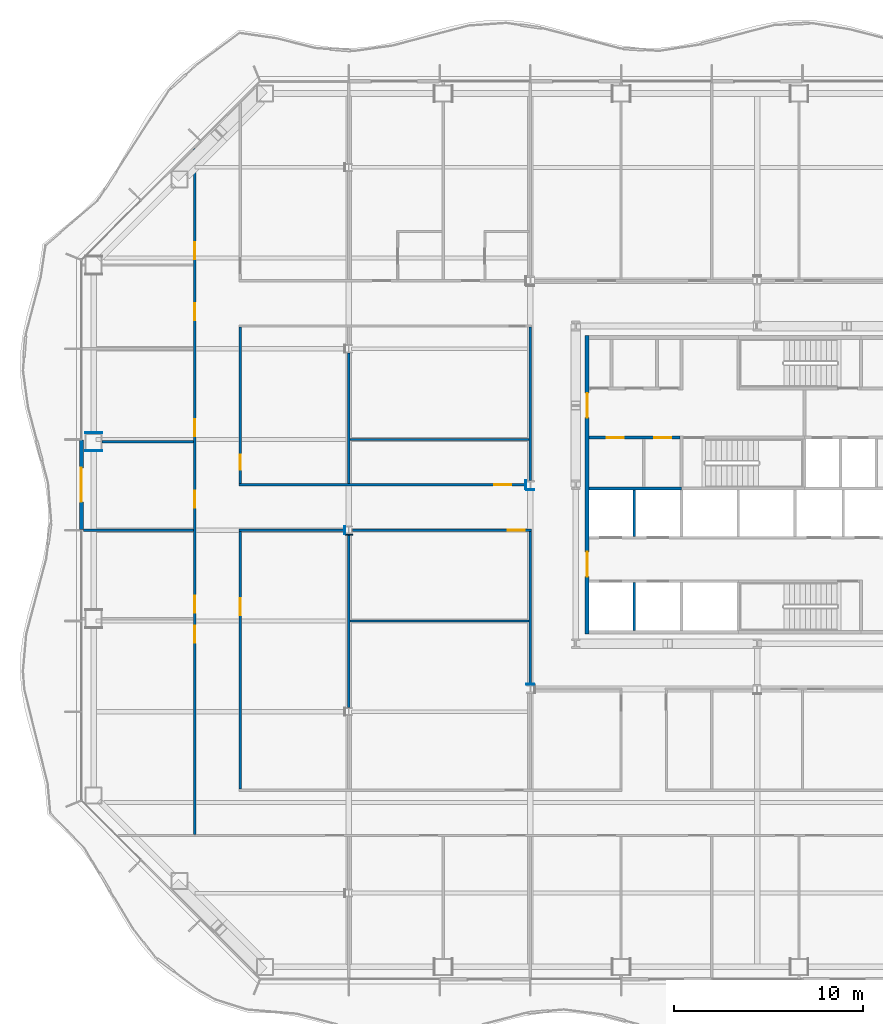
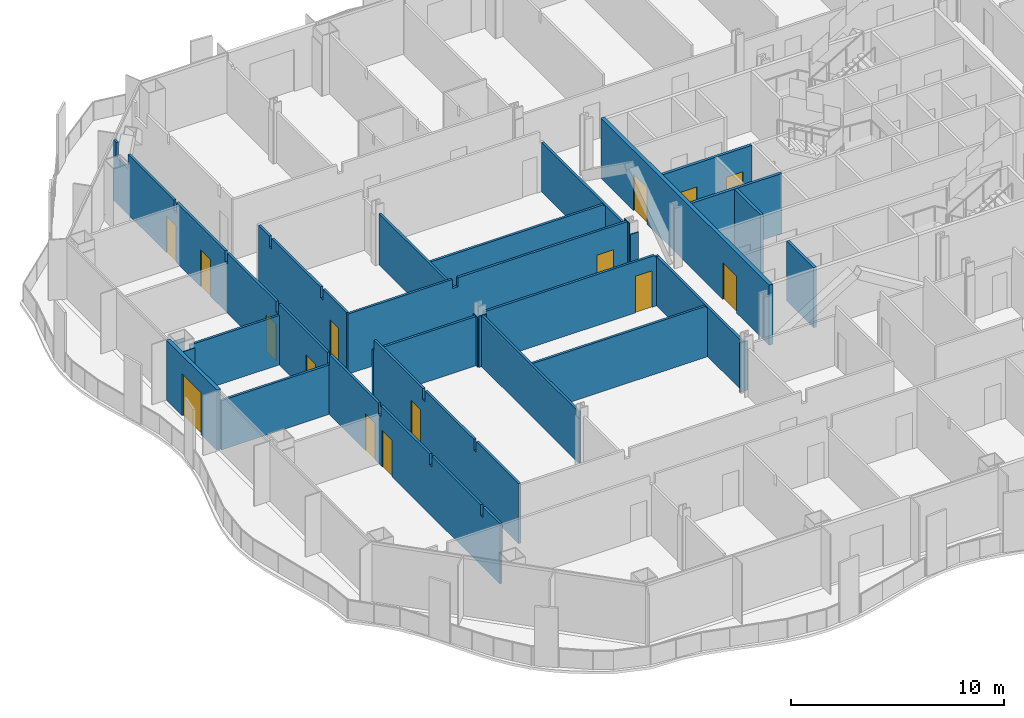
# One storey, part 8 of 18: 27 walls, 15 doors, 15 openings.
"""IFC4 building model written with IfcOpenShell, lengths in metres."""

from ifc_helpers import new_model, si_unit, direction, frame, frame_2d, origin, place, context, subcontext, project, spatial, polyline, rectangle, outline, extrude, material, layer, layer_set, type_object, element, fill, save


model = new_model("IFC4")

# Units and contexts
model_context = context("Model", 3, precision=1e-05, world=origin(), true_north=direction((0.0, 1.0)))
body_context = subcontext(model_context, "Body", "Model", "MODEL_VIEW")
ifc_project = project(units=[si_unit("LENGTHUNIT", "METRE"), si_unit("AREAUNIT", "SQUARE_METRE"), si_unit("VOLUMEUNIT", "CUBIC_METRE"), si_unit("PLANEANGLEUNIT", "RADIAN"), si_unit("MASSUNIT", "GRAM", prefix="KILO")], contexts=[model_context])

# Site, building, storey
site_placement = place(None, origin())
site = spatial("IfcSite", under=ifc_project, at=site_placement, CompositionType="ELEMENT")
building_placement = place(site_placement, origin())
building = spatial("IfcBuilding", under=site, at=building_placement, Name="Cairn Pilgrim Tower", CompositionType="ELEMENT")
storey_placement = place(building_placement, frame((0.0, 0.0, 65.39990234375)))
storey = spatial("IfcBuildingStorey", under=building, at=storey_placement, Name="L14", CompositionType="ELEMENT", Elevation=65.39990234375)

# Wall, opening, door
ifc_material_1 = material(Name="Bronze anodised aluminium insulated sandwich panel with mineral wool fill", Category="aluminium")
ifc_layer_1 = layer(ifc_material_1, 0.199951171875)
ifc_layer_set_1 = layer_set([ifc_layer_1], Name="BRONZE INFILL FRAME WALL 200")
wall_type_1 = type_object("IfcWallType", Name="BRONZE INFILL FRAME WALL 200", PredefinedType="NOTDEFINED", material=ifc_layer_set_1)
wall_1_placement = place(storey_placement, frame((-28.550048828125, 4.77001953125, 0.0), z_axis=(0.0, 0.0, 1.0), x_axis=(0.0, -1.0, 0.0)))
wall_1 = element("IfcWall", 1, at=wall_1_placement, inside=storey, type_object=wall_type_1, Name="Bronze infill frame wall IW-W3", PredefinedType="NOTDEFINED", context=body_context, shape_type="SweptSolid", body=[
    extrude(rectangle(XDim=4.739990234375, YDim=0.199951171875, at=frame_2d((2.3701171875, 0.0))), origin(), (0.0, 0.0, 1.0), 3.4501953125),
])
opening_1_placement = place(wall_1_placement, frame((1.469970703125, 0.0, 0.0)))
opening_1 = element("IfcOpeningElement", 2, at=opening_1_placement, cuts=wall_1, Name="Opening 1411B", PredefinedType="OPENING", context=body_context, shape_type="SweptSolid", body=[
    extrude(rectangle(XDim=1.800048828125, YDim=2.39990234375, at=frame_2d((0.89990234375, 1.199951171875))), frame((0.0, 0.10986328125, 0.0), z_axis=(0.0, -1.0, 0.0), x_axis=(1.0, 0.0, 0.0)), (0.0, 0.0, 1.0), 0.219970703125),
])
ifc_material_2 = material(Name="Bronze anodised aluminium frame with tinted low-E glass", Category="aluminium")
door_type_1 = type_object("IfcDoorType", Name="BALCONY SLIDING DOOR 1800x2400", OperationType="DOUBLE_DOOR_SLIDING", PredefinedType="DOOR", material=ifc_material_2)
door_1_placement = place(opening_1_placement, origin())
door_1 = element("IfcDoor", 3, at=door_1_placement, inside=storey, type_object=door_type_1, Name="Balcony sliding door 1411B", OperationType="SINGLE_SWING_LEFT", OverallHeight=2.39990234375, OverallWidth=1.800048828125, PredefinedType="DOOR", context=body_context, shape_type="SweptSolid", body=[
    extrude(rectangle(XDim=1.800048828125, YDim=2.39990234375, at=frame_2d((0.89990234375, 1.199951171875))), frame((0.0, 0.02490234375, 0.0), z_axis=(0.0, -1.0, 0.0), x_axis=(1.0, 0.0, 0.0)), (0.0, 0.0, 1.0), 0.050048828125),
])
fill(opening_1, door_1)

# Wall, openings, doors
ifc_material_3 = material(Name="Concrete C32/40", Category="concrete")
ifc_layer_2 = layer(ifc_material_3, 0.199951171875)
ifc_layer_set_2 = layer_set([ifc_layer_2], Name="CORE OUTER WALL 200 EI 120")
wall_type_2 = type_object("IfcWallType", Name="CORE OUTER WALL 200 EI 120", PredefinedType="SOLIDWALL", material=ifc_layer_set_2)
wall_2_placement = place(storey_placement, frame((-1.800048828125, -5.5, 0.0), z_axis=(0.0, 0.0, 1.0), x_axis=(0.0, 1.0, 0.0)))
wall_2 = element("IfcWall", 4, at=wall_2_placement, inside=storey, type_object=wall_type_2, Name="CW:L14:V12", PredefinedType="SOLIDWALL", context=body_context, shape_type="SweptSolid", body=[
    extrude(rectangle(XDim=15.800048828125, YDim=0.199951171875, at=frame_2d((7.89990234375, 0.0))), origin(), (0.0, 0.0, 1.0), 3.4501953125),
])
opening_2_placement = place(wall_2_placement, frame((3.050048828125, 0.0, 0.0)))
opening_2 = element("IfcOpeningElement", 5, at=opening_2_placement, cuts=wall_2, Name="Opening CD-W1", PredefinedType="OPENING", context=body_context, shape_type="SweptSolid", body=[
    extrude(rectangle(XDim=1.300048828125, YDim=2.10009765625, at=frame_2d((0.64990234375, 1.050048828125))), frame((0.0, 0.10986328125, 0.0), z_axis=(0.0, -1.0, 0.0), x_axis=(1.0, 0.0, 0.0)), (0.0, 0.0, 1.0), 0.219970703125),
])
opening_3_placement = place(wall_2_placement, frame((11.449951171875, 0.0, 0.0)))
opening_3 = element("IfcOpeningElement", 6, at=opening_3_placement, cuts=wall_2, Name="Opening CD-W2", PredefinedType="OPENING", context=body_context, shape_type="SweptSolid", body=[
    extrude(rectangle(XDim=1.300048828125, YDim=2.10009765625, at=frame_2d((0.64990234375, 1.050048828125))), frame((0.0, 0.10986328125, 0.0), z_axis=(0.0, -1.0, 0.0), x_axis=(1.0, 0.0, 0.0)), (0.0, 0.0, 1.0), 0.219970703125),
])
ifc_material_4 = material(Name="Painted steel", Category="steel")
door_type_2 = type_object("IfcDoorType", Name="CORE LOBBY DOOR 1300x2100", OperationType="DOUBLE_DOOR_SINGLE_SWING", PredefinedType="DOOR", material=ifc_material_4)
door_2_placement = place(opening_2_placement, origin())
door_2 = element("IfcDoor", 7, at=door_2_placement, inside=storey, type_object=door_type_2, Name="CD-W1", OperationType="DOUBLE_DOOR_SINGLE_SWING", OverallHeight=2.10009765625, OverallWidth=1.300048828125, PredefinedType="DOOR", context=body_context, shape_type="SweptSolid", body=[
    extrude(rectangle(XDim=1.300048828125, YDim=2.10009765625, at=frame_2d((0.64990234375, 1.050048828125))), frame((0.0, 0.02490234375, 0.0), z_axis=(0.0, -1.0, 0.0), x_axis=(1.0, 0.0, 0.0)), (0.0, 0.0, 1.0), 0.050048828125),
])
fill(opening_2, door_2)
door_3_placement = place(opening_3_placement, origin())
door_3 = element("IfcDoor", 8, at=door_3_placement, inside=storey, type_object=door_type_2, Name="CD-W2", OperationType="DOUBLE_DOOR_SINGLE_SWING", OverallHeight=2.10009765625, OverallWidth=1.300048828125, PredefinedType="DOOR", context=body_context, shape_type="SweptSolid", body=[
    extrude(rectangle(XDim=1.300048828125, YDim=2.10009765625, at=frame_2d((0.64990234375, 1.050048828125))), frame((0.0, 0.02490234375, 0.0), z_axis=(0.0, -1.0, 0.0), x_axis=(1.0, 0.0, 0.0)), (0.0, 0.0, 1.0), 0.050048828125),
])
fill(opening_3, door_3)

ifc_layer_3 = layer(ifc_material_3, 0.14990234375)
ifc_layer_set_3 = layer_set([ifc_layer_3], Name="CORE PARTITION 150 EI 60")
wall_type_3 = type_object("IfcWallType", Name="CORE PARTITION 150 EI 60", PredefinedType="PARTITIONING", material=ifc_layer_set_3)
wall_3_placement = place(storey_placement, frame((-1.699951171875, 4.89990234375, 0.0), z_axis=(0.0, 0.0, 1.0), x_axis=(1.0, 0.0, 0.0)))
wall_3 = element("IfcWall", 9, at=wall_3_placement, inside=storey, type_object=wall_type_3, Name="CW:L14:H07", PredefinedType="PARTITIONING", context=body_context, shape_type="SweptSolid", body=[
    extrude(rectangle(XDim=4.824951171875, YDim=0.14990234375, at=frame_2d((2.41259765625, 0.0))), origin(), (0.0, 0.0, 1.0), 3.4501953125),
])
opening_4_placement = place(wall_3_placement, frame((0.949951171875, 0.0, 0.0)))
opening_4 = element("IfcOpeningElement", 10, at=opening_4_placement, cuts=wall_3, Name="Opening RD-R3W1", PredefinedType="OPENING", context=body_context, shape_type="SweptSolid", body=[
    extrude(rectangle(XDim=0.89990234375, YDim=2.10009765625, at=frame_2d((0.449951171875, 1.050048828125))), frame((0.0, 0.0849609375, 0.0), z_axis=(0.0, -1.0, 0.0), x_axis=(1.0, 0.0, 0.0)), (0.0, 0.0, 1.0), 0.169921875),
])
opening_5_placement = place(wall_3_placement, frame((3.449951171875, 0.0, 0.0)))
opening_5 = element("IfcOpeningElement", 11, at=opening_5_placement, cuts=wall_3, Name="Opening RD-R3W2", PredefinedType="OPENING", context=body_context, shape_type="SweptSolid", body=[
    extrude(rectangle(XDim=0.89990234375, YDim=2.10009765625, at=frame_2d((0.449951171875, 1.050048828125))), frame((0.0, 0.0849609375, 0.0), z_axis=(0.0, -1.0, 0.0), x_axis=(1.0, 0.0, 0.0)), (0.0, 0.0, 1.0), 0.169921875),
])
door_type_3 = type_object("IfcDoorType", Name="SERVICE ROOM DOOR 900x2100", OperationType="SINGLE_SWING_LEFT", PredefinedType="DOOR", material=ifc_material_4)
door_4_placement = place(opening_4_placement, origin())
door_4 = element("IfcDoor", 12, at=door_4_placement, inside=storey, type_object=door_type_3, Name="RD-R3W1", OperationType="SINGLE_SWING_RIGHT", OverallHeight=2.10009765625, OverallWidth=0.89990234375, PredefinedType="DOOR", context=body_context, shape_type="SweptSolid", body=[
    extrude(rectangle(XDim=0.89990234375, YDim=2.10009765625, at=frame_2d((0.449951171875, 1.050048828125))), frame((0.0, 0.02490234375, 0.0), z_axis=(0.0, -1.0, 0.0), x_axis=(1.0, 0.0, 0.0)), (0.0, 0.0, 1.0), 0.050048828125),
])
fill(opening_4, door_4)
door_5_placement = place(opening_5_placement, origin())
door_5 = element("IfcDoor", 13, at=door_5_placement, inside=storey, type_object=door_type_3, Name="RD-R3W2", OperationType="SINGLE_SWING_LEFT", OverallHeight=2.10009765625, OverallWidth=0.89990234375, PredefinedType="DOOR", context=body_context, shape_type="SweptSolid", body=[
    extrude(rectangle(XDim=0.89990234375, YDim=2.10009765625, at=frame_2d((0.449951171875, 1.050048828125))), frame((0.0, 0.02490234375, 0.0), z_axis=(0.0, -1.0, 0.0), x_axis=(1.0, 0.0, 0.0)), (0.0, 0.0, 1.0), 0.050048828125),
])
fill(opening_5, door_5)

# Walls
ifc_layer_4 = layer(ifc_material_3, 0.14990234375)
ifc_layer_set_4 = layer_set([ifc_layer_4], Name="CORE SHAFT WALL 150 EI 120")
wall_type_4 = type_object("IfcWallType", Name="CORE SHAFT WALL 150 EI 120", PredefinedType="SOLIDWALL", material=ifc_layer_set_4)
wall_4_placement = place(storey_placement, frame((-1.699951171875, 2.199951171875, 0.0), z_axis=(0.0, 0.0, 1.0), x_axis=(1.0, 0.0, 0.0)))
element("IfcWall", 14, at=wall_4_placement, inside=storey, type_object=wall_type_4, Name="CW:L14:H05-1", PredefinedType="SOLIDWALL", context=body_context, shape_type="SweptSolid", body=[
    extrude(rectangle(XDim=4.89990234375, YDim=0.14990234375, at=frame_2d((2.449951171875, 0.0))), origin(), (0.0, 0.0, 1.0), 3.4501953125),
])
wall_5_placement = place(storey_placement, frame((0.699951171875, -5.300048828125, 0.0), z_axis=(0.0, 0.0, 1.0), x_axis=(0.0, 1.0, 0.0)))
element("IfcWall", 15, at=wall_5_placement, inside=storey, type_object=wall_type_4, Name="CW:L14:V14", PredefinedType="SOLIDWALL", context=body_context, shape_type="SweptSolid", body=[
    extrude(rectangle(XDim=2.525146484375, YDim=0.14990234375, at=frame_2d((1.2626953125, 0.0))), origin(), (0.0, 0.0, 1.0), 3.4501953125),
])
wall_6_placement = place(storey_placement, frame((0.699951171875, -0.324951171875, 0.0), z_axis=(0.0, 0.0, 1.0), x_axis=(0.0, 1.0, 0.0)))
element("IfcWall", 16, at=wall_6_placement, inside=storey, type_object=wall_type_4, Name="CW:L14:V15", PredefinedType="SOLIDWALL", context=body_context, shape_type="SweptSolid", body=[
    extrude(rectangle(XDim=2.449951171875, YDim=0.14990234375, at=frame_2d((1.22509765625, 0.0))), origin(), (0.0, 0.0, 1.0), 3.4501953125),
])

# Wall, openings, doors
ifc_material_5 = material(Name="Gypsum partition")
ifc_layer_5 = layer(ifc_material_5, 0.125)
ifc_layer_set_5 = layer_set([ifc_layer_5], Name="PARTITION 125 DRYWALL EI 60")
wall_type_5 = type_object("IfcWallType", Name="PARTITION 125 DRYWALL EI 60", PredefinedType="PARTITIONING", material=ifc_layer_set_5)
wall_7_placement = place(storey_placement, frame((-22.550048828125, -16.08740234375, 0.0), z_axis=(0.0, 0.0, 1.0), x_axis=(0.0, 1.0, 0.0)))
wall_7 = element("IfcWall", 17, at=wall_7_placement, inside=storey, type_object=wall_type_5, Name="PARTITION W014", PredefinedType="PARTITIONING", context=body_context, shape_type="SweptSolid", body=[
    extrude(outline(polyline([(0.0, 0.0), (36.276123046875, 0.0), (36.276123046875, 3.4501953125), (36.022216796875, 3.4501953125), (36.020263671875, 2.630126953125), (34.9072265625, 2.630126953125), (34.9052734375, 3.4501953125), (30.597412109375, 3.4501953125), (30.595458984375, 2.830078125), (30.37744140625, 2.830078125), (30.37548828125, 3.4501953125), (25.797607421875, 3.4501953125), (25.79541015625, 2.830078125), (25.577392578125, 2.830078125), (25.575439453125, 3.4501953125), (20.99755859375, 3.4501953125), (20.99560546875, 2.830078125), (20.777587890625, 2.830078125), (20.775390625, 3.4501953125), (16.197509765625, 3.4501953125), (16.195556640625, 2.830078125), (15.9775390625, 2.830078125), (15.9755859375, 3.4501953125), (11.3974609375, 3.4501953125), (11.3955078125, 2.830078125), (11.177490234375, 2.830078125), (11.175537109375, 3.4501953125), (6.597412109375, 3.4501953125), (6.595458984375, 2.830078125), (6.37744140625, 2.830078125), (6.37548828125, 3.4501953125), (1.797607421875, 3.4501953125), (1.79541015625, 2.830078125), (1.577392578125, 2.830078125), (1.575439453125, 3.4501953125), (0.0, 3.4501953125), (0.0, 0.0)])), frame((0.0, 0.0625, 0.0), z_axis=(0.0, -1.0, 0.0), x_axis=(1.0, 0.0, 0.0)), (0.0, 0.0, 1.0), 0.125),
])
opening_6_placement = place(wall_7_placement, frame((10.137451171875, 0.0, 0.0)))
opening_6 = element("IfcOpeningElement", 18, at=opening_6_placement, cuts=wall_7, Name="Opening 1409", PredefinedType="OPENING", context=body_context, shape_type="SweptSolid", body=[
    extrude(rectangle(XDim=0.89990234375, YDim=2.10009765625, at=frame_2d((0.449951171875, 1.050048828125))), frame((0.0, 0.072509765625, 0.0), z_axis=(0.0, -1.0, 0.0), x_axis=(1.0, 0.0, 0.0)), (0.0, 0.0, 1.0), 0.14501953125),
])
opening_7_placement = place(wall_7_placement, frame((11.71142578125, 0.0, 0.0)))
opening_7 = element("IfcOpeningElement", 19, at=opening_7_placement, cuts=wall_7, Name="Opening 1410", PredefinedType="OPENING", context=body_context, shape_type="SweptSolid", body=[
    extrude(rectangle(XDim=0.89990234375, YDim=2.10009765625, at=frame_2d((0.449951171875, 1.050048828125))), frame((0.0, 0.072509765625, 0.0), z_axis=(0.0, -1.0, 0.0), x_axis=(1.0, 0.0, 0.0)), (0.0, 0.0, 1.0), 0.14501953125),
])
opening_8_placement = place(wall_7_placement, frame((17.28759765625, 0.0, 0.0)))
opening_8 = element("IfcOpeningElement", 20, at=opening_8_placement, cuts=wall_7, Name="Opening 1411", PredefinedType="OPENING", context=body_context, shape_type="SweptSolid", body=[
    extrude(rectangle(XDim=0.89990234375, YDim=2.10009765625, at=frame_2d((0.449951171875, 1.050048828125))), frame((0.0, 0.072509765625, 0.0), z_axis=(0.0, -1.0, 0.0), x_axis=(1.0, 0.0, 0.0)), (0.0, 0.0, 1.0), 0.14501953125),
])
opening_9_placement = place(wall_7_placement, frame((21.0634765625, 0.0, 0.0)))
opening_9 = element("IfcOpeningElement", 21, at=opening_9_placement, cuts=wall_7, Name="Opening 1412", PredefinedType="OPENING", context=body_context, shape_type="SweptSolid", body=[
    extrude(rectangle(XDim=0.89990234375, YDim=2.10009765625, at=frame_2d((0.449951171875, 1.050048828125))), frame((0.0, 0.072509765625, 0.0), z_axis=(0.0, -1.0, 0.0), x_axis=(1.0, 0.0, 0.0)), (0.0, 0.0, 1.0), 0.14501953125),
])
opening_10_placement = place(wall_7_placement, frame((27.1875, 0.0, 0.0)))
opening_10 = element("IfcOpeningElement", 22, at=opening_10_placement, cuts=wall_7, Name="Opening 1413", PredefinedType="OPENING", context=body_context, shape_type="SweptSolid", body=[
    extrude(rectangle(XDim=0.89990234375, YDim=2.10009765625, at=frame_2d((0.449951171875, 1.050048828125))), frame((0.0, 0.072509765625, 0.0), z_axis=(0.0, -1.0, 0.0), x_axis=(1.0, 0.0, 0.0)), (0.0, 0.0, 1.0), 0.14501953125),
])
opening_11_placement = place(wall_7_placement, frame((30.41455078125, 0.0, 0.0)))
opening_11 = element("IfcOpeningElement", 23, at=opening_11_placement, cuts=wall_7, Name="Opening 1414", PredefinedType="OPENING", context=body_context, shape_type="SweptSolid", body=[
    extrude(rectangle(XDim=0.89990234375, YDim=2.10009765625, at=frame_2d((0.449951171875, 1.050048828125))), frame((0.0, 0.072509765625, 0.0), z_axis=(0.0, -1.0, 0.0), x_axis=(1.0, 0.0, 0.0)), (0.0, 0.0, 1.0), 0.14501953125),
])
ifc_material_6 = material(Name="Steel-faced fire door leaf", Category="steel")
door_type_4 = type_object("IfcDoorType", Name="FIRE DOOR 900x2100 FD30S", OperationType="NOTDEFINED", PredefinedType="DOOR", material=ifc_material_6)
door_6_placement = place(opening_6_placement, origin())
door_6 = element("IfcDoor", 24, at=door_6_placement, inside=storey, type_object=door_type_4, Name="DOOR 1409", OperationType="SINGLE_SWING_RIGHT", OverallHeight=2.10009765625, OverallWidth=0.89990234375, PredefinedType="DOOR", context=body_context, shape_type="SweptSolid", body=[
    extrude(rectangle(XDim=0.89990234375, YDim=2.10009765625, at=frame_2d((0.449951171875, 1.050048828125))), frame((0.0, 0.02490234375, 0.0), z_axis=(0.0, -1.0, 0.0), x_axis=(1.0, 0.0, 0.0)), (0.0, 0.0, 1.0), 0.050048828125),
])
fill(opening_6, door_6)
door_7_placement = place(opening_7_placement, origin())
door_7 = element("IfcDoor", 25, at=door_7_placement, inside=storey, type_object=door_type_4, Name="DOOR 1410", OperationType="SINGLE_SWING_LEFT", OverallHeight=2.10009765625, OverallWidth=0.89990234375, PredefinedType="DOOR", context=body_context, shape_type="SweptSolid", body=[
    extrude(rectangle(XDim=0.89990234375, YDim=2.10009765625, at=frame_2d((0.449951171875, 1.050048828125))), frame((0.0, 0.02490234375, 0.0), z_axis=(0.0, -1.0, 0.0), x_axis=(1.0, 0.0, 0.0)), (0.0, 0.0, 1.0), 0.050048828125),
])
fill(opening_7, door_7)
door_8_placement = place(opening_8_placement, origin())
door_8 = element("IfcDoor", 26, at=door_8_placement, inside=storey, type_object=door_type_4, Name="DOOR 1411", OperationType="SINGLE_SWING_RIGHT", OverallHeight=2.10009765625, OverallWidth=0.89990234375, PredefinedType="DOOR", context=body_context, shape_type="SweptSolid", body=[
    extrude(rectangle(XDim=0.89990234375, YDim=2.10009765625, at=frame_2d((0.449951171875, 1.050048828125))), frame((0.0, 0.02490234375, 0.0), z_axis=(0.0, -1.0, 0.0), x_axis=(1.0, 0.0, 0.0)), (0.0, 0.0, 1.0), 0.050048828125),
])
fill(opening_8, door_8)
door_9_placement = place(opening_9_placement, origin())
door_9 = element("IfcDoor", 27, at=door_9_placement, inside=storey, type_object=door_type_4, Name="DOOR 1412", OperationType="SINGLE_SWING_LEFT", OverallHeight=2.10009765625, OverallWidth=0.89990234375, PredefinedType="DOOR", context=body_context, shape_type="SweptSolid", body=[
    extrude(rectangle(XDim=0.89990234375, YDim=2.10009765625, at=frame_2d((0.449951171875, 1.050048828125))), frame((0.0, 0.02490234375, 0.0), z_axis=(0.0, -1.0, 0.0), x_axis=(1.0, 0.0, 0.0)), (0.0, 0.0, 1.0), 0.050048828125),
])
fill(opening_9, door_9)
door_10_placement = place(opening_10_placement, origin())
door_10 = element("IfcDoor", 28, at=door_10_placement, inside=storey, type_object=door_type_4, Name="DOOR 1413", OperationType="SINGLE_SWING_RIGHT", OverallHeight=2.10009765625, OverallWidth=0.89990234375, PredefinedType="DOOR", context=body_context, shape_type="SweptSolid", body=[
    extrude(rectangle(XDim=0.89990234375, YDim=2.10009765625, at=frame_2d((0.449951171875, 1.050048828125))), frame((0.0, 0.02490234375, 0.0), z_axis=(0.0, -1.0, 0.0), x_axis=(1.0, 0.0, 0.0)), (0.0, 0.0, 1.0), 0.050048828125),
])
fill(opening_10, door_10)
door_11_placement = place(opening_11_placement, origin())
door_11 = element("IfcDoor", 29, at=door_11_placement, inside=storey, type_object=door_type_4, Name="DOOR 1414", OperationType="SINGLE_SWING_LEFT", OverallHeight=2.10009765625, OverallWidth=0.89990234375, PredefinedType="DOOR", context=body_context, shape_type="SweptSolid", body=[
    extrude(rectangle(XDim=0.89990234375, YDim=2.10009765625, at=frame_2d((0.449951171875, 1.050048828125))), frame((0.0, 0.02490234375, 0.0), z_axis=(0.0, -1.0, 0.0), x_axis=(1.0, 0.0, 0.0)), (0.0, 0.0, 1.0), 0.050048828125),
])
fill(opening_11, door_11)

# Wall, opening, door
wall_8_placement = place(storey_placement, frame((-20.14990234375, -13.6875, 0.0), z_axis=(0.0, 0.0, 1.0), x_axis=(0.0, 1.0, 0.0)))
wall_8 = element("IfcWall", 30, at=wall_8_placement, inside=storey, type_object=wall_type_5, Name="PARTITION W018", PredefinedType="PARTITIONING", context=body_context, shape_type="SweptSolid", body=[
    extrude(outline(polyline([(0.0, 0.0), (13.625, 0.0), (13.625, 2.830078125), (13.577392578125, 2.830078125), (13.575439453125, 3.4501953125), (8.99755859375, 3.4501953125), (8.99560546875, 2.830078125), (8.777587890625, 2.830078125), (8.775390625, 3.4501953125), (4.197509765625, 3.4501953125), (4.195556640625, 2.830078125), (3.9775390625, 2.830078125), (3.9755859375, 3.4501953125), (0.0, 3.4501953125), (0.0, 0.0)])), frame((0.0, 0.0625, 0.0), z_axis=(0.0, -1.0, 0.0), x_axis=(1.0, 0.0, 0.0)), (0.0, 0.0, 1.0), 0.125),
])
opening_12_placement = place(wall_8_placement, frame((9.1875, 0.0, 0.0)))
opening_12 = element("IfcOpeningElement", 31, at=opening_12_placement, cuts=wall_8, Name="Opening 1433", PredefinedType="OPENING", context=body_context, shape_type="SweptSolid", body=[
    extrude(rectangle(XDim=0.89990234375, YDim=2.10009765625, at=frame_2d((0.449951171875, 1.050048828125))), frame((0.0, 0.072509765625, 0.0), z_axis=(0.0, -1.0, 0.0), x_axis=(1.0, 0.0, 0.0)), (0.0, 0.0, 1.0), 0.14501953125),
])
door_12_placement = place(opening_12_placement, frame((0.89990234375, 0.0, 0.0), z_axis=(0.0, 0.0, 1.0), x_axis=(-1.0, 0.0, 0.0)))
door_12 = element("IfcDoor", 32, at=door_12_placement, inside=storey, type_object=door_type_4, Name="DOOR 1433", OperationType="SINGLE_SWING_RIGHT", OverallHeight=2.10009765625, OverallWidth=0.89990234375, PredefinedType="DOOR", context=body_context, shape_type="SweptSolid", body=[
    extrude(rectangle(XDim=0.89990234375, YDim=2.10009765625, at=frame_2d((0.449951171875, 1.050048828125))), frame((0.0, 0.02490234375, 0.0), z_axis=(0.0, -1.0, 0.0), x_axis=(1.0, 0.0, 0.0)), (0.0, 0.0, 1.0), 0.050048828125),
])
fill(opening_12, door_12)

# Walls
wall_9_placement = place(storey_placement, frame((-14.39990234375, -9.387451171875, 0.0), z_axis=(0.0, 0.0, 1.0), x_axis=(0.0, 1.0, 0.0)))
element("IfcWall", 33, at=wall_9_placement, inside=storey, type_object=wall_type_5, Name="PARTITION W029", PredefinedType="PARTITIONING", context=body_context, shape_type="SweptSolid", body=[
    extrude(rectangle(XDim=9.175048828125, YDim=0.125, at=frame_2d((4.58740234375, 0.0))), origin(), (0.0, 0.0, 1.0), 2.93017578125),
])
wall_10_placement = place(storey_placement, frame((-4.800048828125, -8.1630859375, 0.0), z_axis=(0.0, 0.0, 1.0), x_axis=(0.0, 1.0, 0.0)))
element("IfcWall", 34, at=wall_10_placement, inside=storey, type_object=wall_type_5, Name="PARTITION W033", PredefinedType="PARTITIONING", context=body_context, shape_type="SweptSolid", body=[
    extrude(rectangle(XDim=8.1005859375, YDim=0.125, at=frame_2d((4.05029296875, 0.0))), origin(), (0.0, 0.0, 1.0), 2.830078125),
])
wall_11_placement = place(storey_placement, frame((-14.33740234375, -4.800048828125, 0.0), z_axis=(0.0, 0.0, 1.0), x_axis=(1.0, 0.0, 0.0)))
element("IfcWall", 35, at=wall_11_placement, inside=storey, type_object=wall_type_5, Name="PARTITION W036", PredefinedType="PARTITIONING", context=body_context, shape_type="SweptSolid", body=[
    extrude(outline(polyline([(0.0, 0.0), (9.474853515625, 0.0), (9.47509765625, 2.830078125), (9.387451171875, 2.830078125), (9.385498046875, 2.93017578125), (0.0, 2.93017578125), (0.0, 0.0)])), frame((0.0, 0.0625, 0.0), z_axis=(0.0, -1.0, 0.0), x_axis=(1.0, 0.0, 0.0)), (0.0, 0.0, 1.0), 0.125),
])
wall_12_placement = place(storey_placement, frame((-28.449951171875, 0.0, 0.0), z_axis=(0.0, 0.0, 1.0), x_axis=(1.0, 0.0, 0.0)))
element("IfcWall", 36, at=wall_12_placement, inside=storey, type_object=wall_type_5, Name="PARTITION W043", PredefinedType="PARTITIONING", context=body_context, shape_type="SweptSolid", body=[
    extrude(rectangle(XDim=5.83740234375, YDim=0.125, at=frame_2d((2.918701171875, 0.0))), origin(), (0.0, 0.0, 1.0), 2.830078125),
])
wall_13_placement = place(storey_placement, frame((-20.21240234375, 0.0, 0.0), z_axis=(0.0, 0.0, 1.0), x_axis=(1.0, 0.0, 0.0)))
element("IfcWall", 37, at=wall_13_placement, inside=storey, type_object=wall_type_5, Name="PARTITION W044", PredefinedType="PARTITIONING", context=body_context, shape_type="SweptSolid", body=[
    extrude(rectangle(XDim=5.60791015625, YDim=0.125, at=frame_2d((2.803955078125, 0.0))), origin(), (0.0, 0.0, 1.0), 2.830078125),
])

# Wall, opening, door
wall_14_placement = place(storey_placement, frame((-14.195556640625, 0.0, 0.0), z_axis=(0.0, 0.0, 1.0), x_axis=(1.0, 0.0, 0.0)))
wall_14 = element("IfcWall", 38, at=wall_14_placement, inside=storey, type_object=wall_type_5, Name="PARTITION W045", PredefinedType="PARTITIONING", context=body_context, shape_type="SweptSolid", body=[
    extrude(outline(polyline([(0.0, 0.0), (9.4580078125, 0.0), (9.4580078125, 2.830078125), (9.24560546875, 2.830078125), (9.243408203125, 2.93017578125), (0.0, 2.93017578125), (0.0, 0.0)])), frame((0.0, 0.0625, 0.0), z_axis=(0.0, -1.0, 0.0), x_axis=(1.0, 0.0, 0.0)), (0.0, 0.0, 1.0), 0.125),
])
opening_13_placement = place(wall_14_placement, frame((8.195556640625, 0.0, 0.0)))
opening_13 = element("IfcOpeningElement", 39, at=opening_13_placement, cuts=wall_14, Name="Opening 1430", PredefinedType="OPENING", context=body_context, shape_type="SweptSolid", body=[
    extrude(rectangle(XDim=0.89990234375, YDim=2.10009765625, at=frame_2d((0.449951171875, 1.050048828125))), frame((0.0, 0.072509765625, 0.0), z_axis=(0.0, -1.0, 0.0), x_axis=(1.0, 0.0, 0.0)), (0.0, 0.0, 1.0), 0.14501953125),
])
door_13_placement = place(opening_13_placement, frame((0.89990234375, 0.0, 0.0), z_axis=(0.0, 0.0, 1.0), x_axis=(-1.0, 0.0, 0.0)))
door_13 = element("IfcDoor", 40, at=door_13_placement, inside=storey, type_object=door_type_4, Name="DOOR 1430", OperationType="SINGLE_SWING_LEFT", OverallHeight=2.10009765625, OverallWidth=0.89990234375, PredefinedType="DOOR", context=body_context, shape_type="SweptSolid", body=[
    extrude(rectangle(XDim=0.89990234375, YDim=2.10009765625, at=frame_2d((0.449951171875, 1.050048828125))), frame((0.0, 0.02490234375, 0.0), z_axis=(0.0, -1.0, 0.0), x_axis=(1.0, 0.0, 0.0)), (0.0, 0.0, 1.0), 0.050048828125),
])
fill(opening_13, door_13)

wall_15_placement = place(storey_placement, frame((-20.21240234375, 2.39990234375, 0.0), z_axis=(0.0, 0.0, 1.0), x_axis=(1.0, 0.0, 0.0)))
wall_15 = element("IfcWall", 41, at=wall_15_placement, inside=storey, type_object=wall_type_5, Name="PARTITION W049", PredefinedType="PARTITIONING", context=body_context, shape_type="SweptSolid", body=[
    extrude(outline(polyline([(0.0, 0.0), (15.200439453125, 0.0), (15.200439453125, 3.4501953125), (5.96240234375, 3.4501953125), (5.96044921875, 2.93017578125), (5.66259765625, 2.93017578125), (5.660400390625, 3.4501953125), (0.0, 3.4501953125), (0.0, 0.0)])), frame((0.0, 0.0625, 0.0), z_axis=(0.0, -1.0, 0.0), x_axis=(1.0, 0.0, 0.0)), (0.0, 0.0, 1.0), 0.125),
])
opening_14_placement = place(wall_15_placement, frame((13.512451171875, 0.0, 0.0)))
opening_14 = element("IfcOpeningElement", 42, at=opening_14_placement, cuts=wall_15, Name="Opening 1431", PredefinedType="OPENING", context=body_context, shape_type="SweptSolid", body=[
    extrude(rectangle(XDim=0.89990234375, YDim=2.10009765625, at=frame_2d((0.449951171875, 1.050048828125))), frame((0.0, 0.072509765625, 0.0), z_axis=(0.0, -1.0, 0.0), x_axis=(1.0, 0.0, 0.0)), (0.0, 0.0, 1.0), 0.14501953125),
])
door_14_placement = place(opening_14_placement, origin())
door_14 = element("IfcDoor", 43, at=door_14_placement, inside=storey, type_object=door_type_4, Name="DOOR 1431", OperationType="SINGLE_SWING_RIGHT", OverallHeight=2.10009765625, OverallWidth=0.89990234375, PredefinedType="DOOR", context=body_context, shape_type="SweptSolid", body=[
    extrude(rectangle(XDim=0.89990234375, YDim=2.10009765625, at=frame_2d((0.449951171875, 1.050048828125))), frame((0.0, 0.02490234375, 0.0), z_axis=(0.0, -1.0, 0.0), x_axis=(1.0, 0.0, 0.0)), (0.0, 0.0, 1.0), 0.050048828125),
])
fill(opening_14, door_14)

wall_16_placement = place(storey_placement, frame((-20.14990234375, 2.46240234375, 0.0), z_axis=(0.0, 0.0, 1.0), x_axis=(0.0, 1.0, 0.0)))
wall_16 = element("IfcWall", 44, at=wall_16_placement, inside=storey, type_object=wall_type_5, Name="PARTITION W050", PredefinedType="PARTITIONING", context=body_context, shape_type="SweptSolid", body=[
    extrude(outline(polyline([(0.0, 0.0), (8.275146484375, 0.0), (8.27490234375, 3.4501953125), (7.24755859375, 3.4501953125), (7.24560546875, 2.830078125), (7.027587890625, 2.830078125), (7.025390625, 3.4501953125), (2.447509765625, 3.4501953125), (2.445556640625, 2.830078125), (2.2275390625, 2.830078125), (2.2255859375, 3.4501953125), (0.0, 3.4501953125), (0.0, 0.0)])), frame((0.0, 0.0625, 0.0), z_axis=(0.0, -1.0, 0.0), x_axis=(1.0, 0.0, 0.0)), (0.0, 0.0, 1.0), 0.125),
])
opening_15_placement = place(wall_16_placement, frame((0.737548828125, 0.0, 0.0)))
opening_15 = element("IfcOpeningElement", 45, at=opening_15_placement, cuts=wall_16, Name="Opening 1434", PredefinedType="OPENING", context=body_context, shape_type="SweptSolid", body=[
    extrude(rectangle(XDim=0.800048828125, YDim=2.10009765625, at=frame_2d((0.39990234375, 1.050048828125))), frame((0.0, 0.072509765625, 0.0), z_axis=(0.0, -1.0, 0.0), x_axis=(1.0, 0.0, 0.0)), (0.0, 0.0, 1.0), 0.14501953125),
])
door_type_5 = type_object("IfcDoorType", Name="FIRE DOOR 800x2100 FD30S", OperationType="NOTDEFINED", PredefinedType="DOOR", material=ifc_material_6)
door_15_placement = place(opening_15_placement, frame((0.800048828125, 0.0, 0.0), z_axis=(0.0, 0.0, 1.0), x_axis=(-1.0, 0.0, 0.0)))
door_15 = element("IfcDoor", 46, at=door_15_placement, inside=storey, type_object=door_type_5, Name="DOOR 1434", OperationType="SINGLE_SWING_LEFT", OverallHeight=2.10009765625, OverallWidth=0.800048828125, PredefinedType="DOOR", context=body_context, shape_type="SweptSolid", body=[
    extrude(rectangle(XDim=0.800048828125, YDim=2.10009765625, at=frame_2d((0.39990234375, 1.050048828125))), frame((0.0, 0.02490234375, 0.0), z_axis=(0.0, -1.0, 0.0), x_axis=(1.0, 0.0, 0.0)), (0.0, 0.0, 1.0), 0.050048828125),
])
fill(opening_15, door_15)

# Walls
wall_17_placement = place(storey_placement, frame((-14.39990234375, 2.46240234375, 0.0), z_axis=(0.0, 0.0, 1.0), x_axis=(0.0, 1.0, 0.0)))
element("IfcWall", 47, at=wall_17_placement, inside=storey, type_object=wall_type_5, Name="PARTITION W051", PredefinedType="PARTITIONING", context=body_context, shape_type="SweptSolid", body=[
    extrude(rectangle(XDim=6.925048828125, YDim=0.125, at=frame_2d((3.46240234375, 0.0))), origin(), (0.0, 0.0, 1.0), 2.93017578125),
])
wall_18_placement = place(storey_placement, frame((-4.800048828125, 2.636962890625, 0.0), z_axis=(0.0, 0.0, 1.0), x_axis=(0.0, 1.0, 0.0)))
element("IfcWall", 48, at=wall_18_placement, inside=storey, type_object=wall_type_5, Name="PARTITION W052", PredefinedType="PARTITIONING", context=body_context, shape_type="SweptSolid", body=[
    extrude(rectangle(XDim=8.1005859375, YDim=0.125, at=frame_2d((4.05029296875, 0.0))), origin(), (0.0, 0.0, 1.0), 2.830078125),
])
wall_19_placement = place(storey_placement, frame((-27.449951171875, 4.676025390625, 0.0), z_axis=(0.0, 0.0, 1.0), x_axis=(1.0, 0.0, 0.0)))
element("IfcWall", 49, at=wall_19_placement, inside=storey, type_object=wall_type_5, Name="PARTITION W054", PredefinedType="PARTITIONING", context=body_context, shape_type="SweptSolid", body=[
    extrude(rectangle(XDim=4.83740234375, YDim=0.125, at=frame_2d((2.418701171875, 0.0))), origin(), (0.0, 0.0, 1.0), 2.830078125),
])
wall_20_placement = place(storey_placement, frame((-14.33740234375, 4.800048828125, 0.0), z_axis=(0.0, 0.0, 1.0), x_axis=(1.0, 0.0, 0.0)))
element("IfcWall", 50, at=wall_20_placement, inside=storey, type_object=wall_type_5, Name="PARTITION W056", PredefinedType="PARTITIONING", context=body_context, shape_type="SweptSolid", body=[
    extrude(outline(polyline([(0.0, 0.0), (9.474853515625, 0.0), (9.47509765625, 2.830078125), (9.387451171875, 2.830078125), (9.385498046875, 2.93017578125), (0.0, 2.93017578125), (0.0, 0.0)])), frame((0.0, 0.0625, 0.0), z_axis=(0.0, -1.0, 0.0), x_axis=(1.0, 0.0, 0.0)), (0.0, 0.0, 1.0), 0.125),
])
ifc_layer_6 = layer(ifc_material_5, 0.050048828125)
ifc_layer_set_6 = layer_set([ifc_layer_6], Name="PARTITION 50 DRYWALL EI 60")
wall_type_6 = type_object("IfcWallType", Name="PARTITION 50 DRYWALL EI 60", PredefinedType="PARTITIONING", material=ifc_layer_set_6)
wall_21_placement = place(storey_placement, frame((-14.62939453125, -0.21240234375, 0.0), z_axis=(0.0, 0.0, 1.0), x_axis=(0.0, 1.0, 0.0)))
element("IfcWall", 51, at=wall_21_placement, inside=storey, type_object=wall_type_6, Name="COLUMN CASING WC13", PredefinedType="PARTITIONING", context=body_context, shape_type="SweptSolid", body=[
    extrude(rectangle(XDim=0.4248046875, YDim=0.050048828125, at=frame_2d((0.21240234375, 0.0))), origin(), (0.0, 0.0, 1.0), 2.830078125),
])
wall_22_placement = place(storey_placement, frame((-5.011962890625, -8.137939453125, 0.0), z_axis=(0.0, 0.0, 1.0), x_axis=(1.0, 0.0, 0.0)))
element("IfcWall", 52, at=wall_22_placement, inside=storey, type_object=wall_type_6, Name="COLUMN CASING WC15", PredefinedType="PARTITIONING", context=body_context, shape_type="SweptSolid", body=[
    extrude(rectangle(XDim=0.424072265625, YDim=0.050048828125, at=frame_2d((0.2119140625, 0.0))), origin(), (0.0, 0.0, 1.0), 2.830078125),
])
wall_23_placement = place(storey_placement, frame((-14.6044921875, -0.237548828125, 0.0), z_axis=(0.0, 0.0, 1.0), x_axis=(1.0, 0.0, 0.0)))
element("IfcWall", 53, at=wall_23_placement, inside=storey, type_object=wall_type_6, Name="COLUMN CASING WC21", PredefinedType="PARTITIONING", context=body_context, shape_type="SweptSolid", body=[
    extrude(rectangle(XDim=0.408935546875, YDim=0.050048828125, at=frame_2d((0.20458984375, 0.0))), origin(), (0.0, 0.0, 1.0), 2.93017578125),
])
wall_24_placement = place(storey_placement, frame((-5.011962890625, 2.137939453125, 0.0), z_axis=(0.0, 0.0, 1.0), x_axis=(1.0, 0.0, 0.0)))
element("IfcWall", 54, at=wall_24_placement, inside=storey, type_object=wall_type_6, Name="COLUMN CASING WC23", PredefinedType="PARTITIONING", context=body_context, shape_type="SweptSolid", body=[
    extrude(rectangle(XDim=0.424072265625, YDim=0.050048828125, at=frame_2d((0.2119140625, 0.0))), origin(), (0.0, 0.0, 1.0), 2.830078125),
])
wall_25_placement = place(storey_placement, frame((-5.037109375, 2.1630859375, 0.0), z_axis=(0.0, 0.0, 1.0), x_axis=(0.0, 1.0, 0.0)))
element("IfcWall", 55, at=wall_25_placement, inside=storey, type_object=wall_type_6, Name="COLUMN CASING WC25", PredefinedType="PARTITIONING", context=body_context, shape_type="SweptSolid", body=[
    extrude(rectangle(XDim=0.473876953125, YDim=0.050048828125, at=frame_2d((0.23681640625, 0.0))), origin(), (0.0, 0.0, 1.0), 3.4501953125),
])
for number, where, z_axis, x_axis, name in (
    (56, (-28.35009765625, 5.150634765625, 0.0), (0.0, 0.0, 1.0), (1.0, 0.0, 0.0), "COLUMN CASING WC26"),
    (57, (-28.35009765625, 4.20068359375, 0.0), (0.0, 0.0, 1.0), (1.0, 0.0, 0.0), "COLUMN CASING WC27"),
):
    element("IfcWall", number, at=place(storey_placement, frame(where, z_axis=z_axis, x_axis=x_axis)), inside=storey, type_object=wall_type_6, Name=name, PredefinedType="PARTITIONING", context=body_context, shape_type="SweptSolid", body=[
        extrude(rectangle(XDim=0.900146484375, YDim=0.050048828125, at=frame_2d((0.4501953125, 0.0))), origin(), (0.0, 0.0, 1.0), 2.93017578125),
    ])

save(model, "model.ifc")
